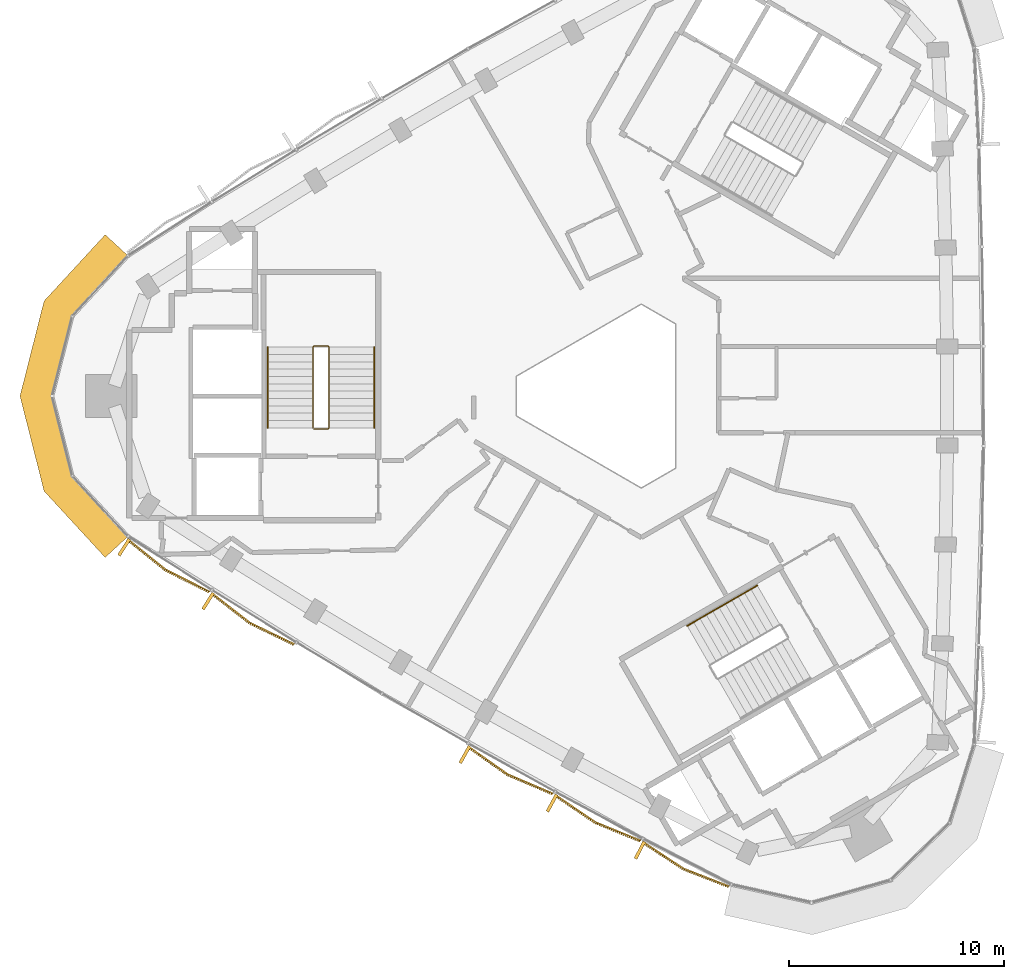
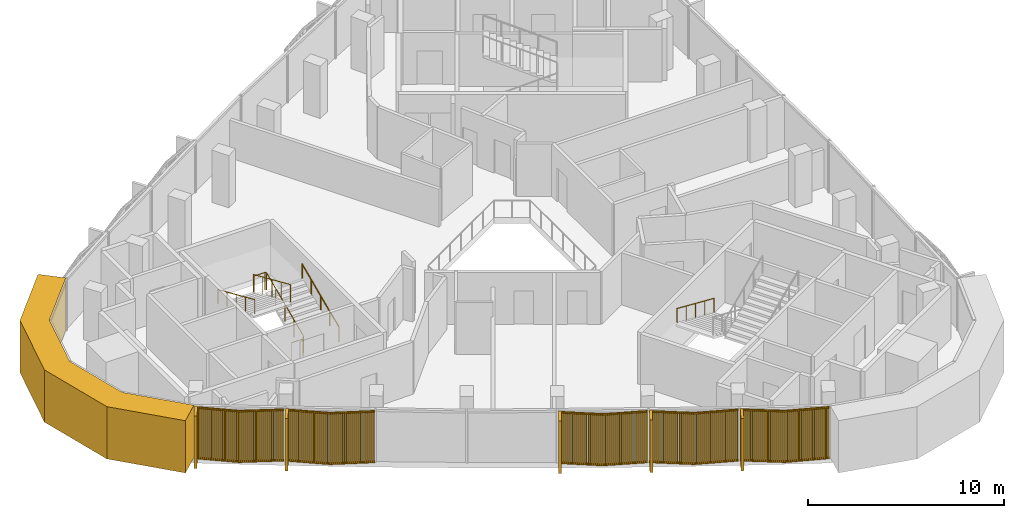
# One storey, part 10 of 12: 6 coverings, 4 railings.
"""IFC4 building model written with IfcOpenShell, lengths in metres."""

import ifcopenshell
import ifcopenshell.guid

model = None  # the IFC model being written
_history = None  # IfcOwnerHistory: only IFC2X3 demands one
_inside = {}  # id of a spatial element -> (the spatial element, [elements in it])
_under = {}  # id of a project, library or spatial element -> (it, [spatial elements below it])
_declared = {}  # id of a project -> (the project, [libraries it declares])
_typed = {}  # id of a type object -> (the type object, [elements of that type])
_made_of = {}  # id of a material, layer set ... -> (it, [elements and type objects made of it])


def new_model(schema):
    """Start an empty IFC model of exactly this schema.

    Asked for "IFC4X3", IfcOpenShell would pick the latest addendum, in which some entities
    have other attributes; the version numbers below select the first issue.
    IFC2X3 requires an IfcOwnerHistory on every rooted entity: one is made here for all.
    """
    global model, _history
    if schema == "IFC4X3":
        model = ifcopenshell.file(schema_version=(4, 3, 0, 0))
    else:
        model = ifcopenshell.file(schema=schema)
    _inside.clear()
    _under.clear()
    _declared.clear()
    _typed.clear()
    _made_of.clear()
    _history = None
    if model.schema == "IFC2X3":
        org = make("IfcOrganization", Name="unknown")
        user = make(
            "IfcPersonAndOrganization",
            ThePerson=make("IfcPerson", FamilyName="unknown"),
            TheOrganization=org,
        )
        app = make(
            "IfcApplication",
            ApplicationDeveloper=org,
            Version="unknown",
            ApplicationFullName="unknown",
            ApplicationIdentifier="unknown",
        )
        _history = make(
            "IfcOwnerHistory",
            OwningUser=user,
            OwningApplication=app,
            ChangeAction="ADDED",
            CreationDate=0,
        )
    return model


def make(cls, **values):
    """One entity of the class cls with the attributes given. An attribute that is None is left unset."""
    return model.create_entity(
        cls, **{name: value for name, value in values.items() if value is not None}
    )


def rooted(cls, **values):
    """An entity with a GlobalId (a new one), such as an element, a storey or a relation."""
    return make(cls, GlobalId=ifcopenshell.guid.new(), OwnerHistory=_history, **values)


def si_unit(unit_type, name, prefix=None):
    """IfcSIUnit, for example si_unit("LENGTHUNIT", "METRE", prefix="MILLI")."""
    return make("IfcSIUnit", UnitType=unit_type, Prefix=prefix, Name=name)


def assignment(units):
    """IfcUnitAssignment: the units of a project."""
    return None if units is None else make("IfcUnitAssignment", Units=units)


def point(xyz):
    """IfcCartesianPoint."""
    return None if xyz is None else make("IfcCartesianPoint", Coordinates=xyz)


def direction(xyz):
    """IfcDirection."""
    return None if xyz is None else make("IfcDirection", DirectionRatios=xyz)


def frame(location, z_axis=None, x_axis=None):
    """IfcAxis2Placement3D, a coordinate frame: its origin and axes. An axis left out is left unset."""
    return make(
        "IfcAxis2Placement3D",
        Location=point(location),
        Axis=direction(z_axis),
        RefDirection=direction(x_axis),
    )


def frame_2d(location, x_axis=None):
    """IfcAxis2Placement2D, a coordinate frame in the plane: its origin and x axis."""
    return make(
        "IfcAxis2Placement2D", Location=point(location), RefDirection=direction(x_axis)
    )


def origin():
    """The frame at (0, 0, 0) with its axes left unset."""
    return frame((0.0, 0.0, 0.0))


def origin_2d():
    """The frame at (0, 0) in the plane with its x axis left unset."""
    return frame_2d((0.0, 0.0))


def place(relative_to, where):
    """IfcLocalPlacement: puts the frame where relative to a parent placement (None: the world)."""
    return make(
        "IfcLocalPlacement", PlacementRelTo=relative_to, RelativePlacement=where
    )


def context(
    kind, dimensions, precision=None, world=None, true_north=None, identifier=None
):
    """IfcGeometricRepresentationContext, for example the 3D "Model" context."""
    return make(
        "IfcGeometricRepresentationContext",
        ContextIdentifier=identifier,
        ContextType=kind,
        CoordinateSpaceDimension=dimensions,
        Precision=precision,
        WorldCoordinateSystem=world,
        TrueNorth=true_north,
    )


def subcontext(parent, identifier, kind, view, scale=None):
    """IfcGeometricRepresentationSubContext, for example "Body" below "Model"."""
    return make(
        "IfcGeometricRepresentationSubContext",
        ContextIdentifier=identifier,
        ContextType=kind,
        ParentContext=parent,
        TargetScale=scale,
        TargetView=view,
    )


def project(units=None, contexts=None):
    """IfcProject with its units and contexts."""
    return rooted(
        "IfcProject",
        Name="project",
        RepresentationContexts=contexts,
        UnitsInContext=assignment(units),
    )


def spatial(cls, under=None, at=None, **own):
    """A site, building, storey or space (cls), placed at a placement, below another one or the project."""
    s = rooted(cls, ObjectPlacement=at, **own)
    if under is not None:
        _under.setdefault(under.id(), (under, []))[1].append(s)
    return s


def polyline(points):
    """IfcPolyline through the points."""
    return make("IfcPolyline", Points=[point(p) for p in points])


def profile(cls, at=None, kind="AREA", **sizes):
    """A parametric profile (cls). Its sizes go by their IFC names, for example OverallWidth=200.0."""
    return make(cls, ProfileType=kind, Position=at, **sizes)


def rectangle(**sizes):
    """IfcRectangleProfileDef."""
    return profile("IfcRectangleProfileDef", **sizes)


def circle(**sizes):
    """IfcCircleProfileDef."""
    return profile("IfcCircleProfileDef", **sizes)


def outline(outer, holes=None, kind="AREA"):
    """IfcArbitraryClosedProfileDef: a profile drawn as a closed curve; with holes, ...WithVoids."""
    if holes is None:
        return make("IfcArbitraryClosedProfileDef", ProfileType=kind, OuterCurve=outer)
    return make(
        "IfcArbitraryProfileDefWithVoids",
        ProfileType=kind,
        OuterCurve=outer,
        InnerCurves=holes,
    )


def extrude(swept, where, along, depth):
    """IfcExtrudedAreaSolid: the profile swept, set in the frame where, extruded along a direction by depth."""
    return make(
        "IfcExtrudedAreaSolid",
        SweptArea=swept,
        Position=where,
        ExtrudedDirection=direction(along),
        Depth=depth,
    )


def shape(context_of_items, identifier, shape_type, items):
    """IfcShapeRepresentation: the items that make up one representation, for example the "Body"."""
    return make(
        "IfcShapeRepresentation",
        ContextOfItems=context_of_items,
        RepresentationIdentifier=identifier,
        RepresentationType=shape_type,
        Items=items,
    )


def source(mapping_origin, context_of_items, identifier, shape_type, items):
    """IfcRepresentationMap: a shape defined once, which mapped items show again and again."""
    return make(
        "IfcRepresentationMap",
        MappingOrigin=mapping_origin,
        MappedRepresentation=shape(context_of_items, identifier, shape_type, items),
    )


def transform(
    local_origin,
    x_axis=None,
    y_axis=None,
    z_axis=None,
    scale=None,
    scale2=None,
    scale3=None,
    uniform=True,
):
    """IfcCartesianTransformationOperator3D, or its non-uniform kind. x_axis, y_axis, z_axis: its Axis1, 2, 3."""
    if uniform:
        return make(
            "IfcCartesianTransformationOperator3D",
            Axis1=direction(x_axis),
            Axis2=direction(y_axis),
            LocalOrigin=point(local_origin),
            Scale=scale,
            Axis3=direction(z_axis),
        )
    return make(
        "IfcCartesianTransformationOperator3DnonUniform",
        Axis1=direction(x_axis),
        Axis2=direction(y_axis),
        LocalOrigin=point(local_origin),
        Scale=scale,
        Axis3=direction(z_axis),
        Scale2=scale2,
        Scale3=scale3,
    )


def mapped(mapping_source, mapping_target):
    """IfcMappedItem: shows the shape of a source again, moved by a transform."""
    return make(
        "IfcMappedItem", MappingSource=mapping_source, MappingTarget=mapping_target
    )


def material(Name=None, Category=None):
    """IfcMaterial."""
    return make("IfcMaterial", Name=Name, Category=Category)


def layer(
    of_material, thickness, ventilated=None, Name=None, Category=None, Priority=None
):
    """IfcMaterialLayer: one layer of a wall or slab, of a material (None: an air gap)."""
    return make(
        "IfcMaterialLayer",
        Material=of_material,
        LayerThickness=thickness,
        IsVentilated=ventilated,
        Name=Name,
        Category=Category,
        Priority=Priority,
    )


def layer_set(layers, Name=None):
    """IfcMaterialLayerSet."""
    return make("IfcMaterialLayerSet", MaterialLayers=layers, LayerSetName=Name)


def made_of(thing, what):
    """Note that an element or type object is made of a material, layer set ...; save() writes the relation."""
    if what is not None:
        _made_of.setdefault(what.id(), (what, []))[1].append(thing)
    return thing


def type_object(cls, material=None, **own):
    """A type object (cls), such as IfcWallType, which elements share."""
    return made_of(rooted(cls, **own), material)


def element(
    cls,
    number,
    at=None,
    inside=None,
    cuts=None,
    type_object=None,
    material=None,
    context=None,
    identifier="Body",
    shape_type=None,
    held_by="IfcProductDefinitionShape",
    body=None,
    shapes=None,
    **own,
):
    """One element of the class cls, such as IfcWall. Its Tag is "e" and its number.

    at: its placement. inside: the storey or other place that contains it. cuts: it is an
    opening in that element (IfcRelVoidsElement). A single representation is given by context,
    identifier, shape_type and body (its items); several are given by shapes. held_by: the class
    of the entity that holds the representations. save() writes the other relations.
    """
    e = rooted(cls, Tag="e%d" % number, ObjectPlacement=at, **own)
    if body is not None:
        shapes = [shape(context, identifier, shape_type, body)]
    if shapes is not None:
        e.Representation = make(held_by, Representations=shapes)
    if inside is not None:
        _inside.setdefault(inside.id(), (inside, []))[1].append(e)
    if cuts is not None:
        rooted(
            "IfcRelVoidsElement", RelatingBuildingElement=cuts, RelatedOpeningElement=e
        )
    if type_object is not None:
        _typed.setdefault(type_object.id(), (type_object, []))[1].append(e)
    return made_of(e, material)


def aggregate(whole, parts):
    """IfcRelAggregates: a whole, such as a stair, and the parts it consists of."""
    return rooted("IfcRelAggregates", RelatingObject=whole, RelatedObjects=parts)


def save(model, path):
    """Write the relations noted so far, then the file.

    IfcRelAggregates (storeys below a building ...), IfcRelContainedInSpatialStructure (elements
    in a storey), IfcRelDefinesByType, IfcRelAssociatesMaterial and IfcRelDeclares: one each for
    every whole, place, type object, material and project.
    """
    for whole, parts in _under.values():
        aggregate(whole, parts)
    for where, things in _inside.values():
        rooted(
            "IfcRelContainedInSpatialStructure",
            RelatedElements=things,
            RelatingStructure=where,
        )
    for kind, things in _typed.values():
        rooted("IfcRelDefinesByType", RelatedObjects=things, RelatingType=kind)
    for what, things in _made_of.values():
        rooted("IfcRelAssociatesMaterial", RelatedObjects=things, RelatingMaterial=what)
    for by, libraries in _declared.values():
        rooted("IfcRelDeclares", RelatingContext=by, RelatedDefinitions=libraries)
    model.write(path)


model = new_model("IFC4")

# Units and contexts
model_context = context("Model", 3, precision=1e-05, world=origin(), true_north=direction((0.0, 1.0)))
body_context = subcontext(model_context, "Body", "Model", "MODEL_VIEW")
ifc_project = project(units=[si_unit("LENGTHUNIT", "METRE"), si_unit("AREAUNIT", "SQUARE_METRE"), si_unit("VOLUMEUNIT", "CUBIC_METRE"), si_unit("PLANEANGLEUNIT", "RADIAN"), si_unit("MASSUNIT", "GRAM", prefix="KILO")], contexts=[model_context])

# Site, building, storey
site_placement = place(None, origin())
site = spatial("IfcSite", under=ifc_project, at=site_placement, CompositionType="ELEMENT")
building_placement = place(site_placement, origin())
building = spatial("IfcBuilding", under=site, at=building_placement, Name="Tamra Quay Hotel Tower", CompositionType="ELEMENT")
storey_placement = place(building_placement, frame((0.0, 0.0, 269.39990234375)))
storey = spatial("IfcBuildingStorey", under=building, at=storey_placement, Name="L68", CompositionType="ELEMENT", Elevation=269.39990234375)

# Covering
ifc_material_1 = material(Name="Precast concrete M60 terracotta-coloured", Category="masonry")
ifc_layer = layer(ifc_material_1, 1.449951171875)
ifc_layer_set = layer_set([ifc_layer], Name="CORNER PIER PANEL")
covering_type_1 = type_object("IfcCoveringType", Name="CORNER PIER PANEL", PredefinedType="CLADDING", material=ifc_layer_set)
covering_placement = place(storey_placement, origin())
element("IfcCovering", 1, at=covering_placement, inside=storey, type_object=covering_type_1, Name="Corner pier L68.north-west", PredefinedType="CLADDING", context=body_context, shape_type="SweptSolid", body=[
    extrude(outline(polyline([(-22.488525390625, 6.530517578125), (-23.55517578125, 7.5126953125), (-26.3984375, 4.425048828125), (-27.519287109375, 0.0), (-26.3984375, -4.425048828125), (-23.55517578125, -7.5126953125), (-22.488525390625, -6.530517578125), (-25.0830078125, -3.712890625), (-26.0234375, 0.0), (-25.0830078125, 3.712890625), (-22.488525390625, 6.530517578125)])), origin(), (0.0, 0.0, 1.0), 3.25),
])

# Railings
ifc_material_2 = material(Name="Stair guard 1100")
railing_type_1 = type_object("IfcRailingType", Name="Stair guard 1100", PredefinedType="GUARDRAIL", material=ifc_material_2)
railing_1_placement = place(storey_placement, frame((-13.84130859375, -1.530029296875, 0.0)))
element("IfcRailing", 2, at=railing_1_placement, inside=storey, type_object=railing_type_1, Name="GR", PredefinedType="GUARDRAIL", context=body_context, shape_type="SweptSolid", body=[
    extrude(circle(Radius=0.02392578125, at=origin_2d()), frame((0.0, 0.0, 1.076171875), z_axis=(1.0, 0.0, 0.0), x_axis=(0.0, 1.0, 0.0)), (0.0, 0.0, 1.0), 0.658935546875),
    extrude(circle(Radius=0.02392578125, at=origin_2d()), frame((0.658935546875, 0.0, 1.076171875), z_axis=(0.301511344578, 0.301511344578, 0.904534033733), x_axis=(-0.707106781187, 0.707106781187, 0.0)), (0.0, 0.0, 1.0), 0.166015625),
    extrude(circle(Radius=0.02392578125, at=origin_2d()), frame((0.708984375, 0.050048828125, 1.22607421875), z_axis=(0.0, 0.915795495799, 0.401644880304), x_axis=(-1.0, 0.0, 0.0)), (0.0, 0.0, 1.0), 4.10791015625),
    extrude(circle(Radius=0.02392578125, at=origin_2d()), frame((0.708984375, 3.81201171875, 2.8759765625), z_axis=(-0.708833529934, 0.705375805398, 0.0), x_axis=(-0.705375805398, -0.708833529934, 0.0)), (0.0, 0.0, 1.0), 0.070556640625),
    extrude(circle(Radius=0.02392578125, at=origin_2d()), frame((0.658935546875, 3.86181640625, 2.8759765625), z_axis=(-1.0, 0.0, 0.0), x_axis=(0.0, -1.0, 0.0)), (0.0, 0.0, 1.0), 0.658935546875),
    extrude(circle(Radius=0.02392578125, at=origin_2d()), frame((0.0, 3.86181640625, 2.8759765625), z_axis=(-0.301644814947, -0.300173376825, 0.904934444842), x_axis=(0.705375805398, -0.708833529934, 0.0)), (0.0, 0.0, 1.0), 0.166015625),
    extrude(circle(Radius=0.02392578125, at=origin_2d()), frame((-0.050048828125, 3.81201171875, 3.0263671875), z_axis=(0.0, -0.915795495799, 0.401644880304), x_axis=(1.0, 0.0, 0.0)), (0.0, 0.0, 1.0), 4.10791015625),
    extrude(circle(Radius=0.02099609375, at=origin_2d()), origin(), (0.0, 0.0, 1.0), 1.052001953125),
    extrude(circle(Radius=0.02099609375, at=origin_2d()), frame((0.658935546875, 0.0, 0.0)), (0.0, 0.0, 1.0), 1.052001953125),
    extrude(circle(Radius=0.02099609375, at=origin_2d()), frame((0.708984375, 0.050048828125, 0.150146484375)), (0.0, 0.0, 1.0), 1.052001953125),
    extrude(circle(Radius=0.02099609375, at=origin_2d()), frame((0.708984375, 0.990478515625, 0.5625)), (0.0, 0.0, 1.0), 1.052001953125),
    extrude(circle(Radius=0.02099609375, at=origin_2d()), frame((0.708984375, 1.93115234375, 0.97509765625)), (0.0, 0.0, 1.0), 1.052001953125),
    extrude(circle(Radius=0.02099609375, at=origin_2d()), frame((0.708984375, 2.87158203125, 1.3876953125)), (0.0, 0.0, 1.0), 1.052001953125),
    extrude(circle(Radius=0.02099609375, at=origin_2d()), frame((0.708984375, 3.81201171875, 1.800048828125)), (0.0, 0.0, 1.0), 1.052001953125),
    extrude(circle(Radius=0.02099609375, at=origin_2d()), frame((0.658935546875, 3.86181640625, 1.800048828125)), (0.0, 0.0, 1.0), 1.052001953125),
    extrude(circle(Radius=0.02099609375, at=origin_2d()), frame((0.0, 3.86181640625, 1.800048828125)), (0.0, 0.0, 1.0), 1.052001953125),
    extrude(circle(Radius=0.02099609375, at=origin_2d()), frame((-0.050048828125, 3.81201171875, 1.9501953125)), (0.0, 0.0, 1.0), 1.052001953125),
    extrude(circle(Radius=0.02099609375, at=origin_2d()), frame((-0.050048828125, 2.87158203125, 2.36279296875)), (0.0, 0.0, 1.0), 1.052001953125),
    extrude(circle(Radius=0.02099609375, at=origin_2d()), frame((-0.050048828125, 1.93115234375, 2.775146484375)), (0.0, 0.0, 1.0), 1.052001953125),
    extrude(circle(Radius=0.02099609375, at=origin_2d()), frame((-0.050048828125, 0.990478515625, 3.1875)), (0.0, 0.0, 1.0), 1.052001953125),
    extrude(circle(Radius=0.02099609375, at=origin_2d()), frame((-0.050048828125, 0.050048828125, 3.60009765625)), (0.0, 0.0, 1.0), 1.052001953125),
])
ifc_material_3 = material(Name="Stair handrail 900")
railing_type_2 = type_object("IfcRailingType", Name="Stair handrail 900", PredefinedType="HANDRAIL", material=ifc_material_3)
railing_2_placement = place(storey_placement, frame((-11.0322265625, -1.47998046875, 0.150146484375)))
element("IfcRailing", 3, at=railing_2_placement, inside=storey, type_object=railing_type_2, Name="HR", PredefinedType="HANDRAIL", context=body_context, shape_type="SweptSolid", body=[
    extrude(circle(Radius=0.02392578125, at=origin_2d()), frame((0.0, 0.0, 0.8759765625), z_axis=(0.0, 0.915795495799, 0.401644880304), x_axis=(-1.0, 0.0, 0.0)), (0.0, 0.0, 1.0), 4.10791015625),
    extrude(circle(Radius=0.02099609375, at=origin_2d()), origin(), (0.0, 0.0, 1.0), 0.851806640625),
    extrude(circle(Radius=0.02099609375, at=origin_2d()), frame((0.0, 0.9404296875, 0.41259765625)), (0.0, 0.0, 1.0), 0.851806640625),
    extrude(circle(Radius=0.02099609375, at=origin_2d()), frame((0.0, 1.880859375, 0.824951171875)), (0.0, 0.0, 1.0), 0.851806640625),
    extrude(circle(Radius=0.02099609375, at=origin_2d()), frame((0.0, 2.821533203125, 1.2373046875)), (0.0, 0.0, 1.0), 0.851806640625),
    extrude(circle(Radius=0.02099609375, at=origin_2d()), frame((0.0, 3.761962890625, 1.64990234375)), (0.0, 0.0, 1.0), 0.851806640625),
])
railing_3_placement = place(storey_placement, frame((-15.9912109375, 2.281982421875, 1.9501953125)))
element("IfcRailing", 4, at=railing_3_placement, inside=storey, type_object=railing_type_2, Name="HR", PredefinedType="HANDRAIL", context=body_context, shape_type="SweptSolid", body=[
    extrude(circle(Radius=0.02392578125, at=origin_2d()), frame((0.0, 0.0, 0.8759765625), z_axis=(0.0, -0.915795495799, 0.401644880304), x_axis=(1.0, 0.0, 0.0)), (0.0, 0.0, 1.0), 4.10791015625),
    extrude(circle(Radius=0.02099609375, at=origin_2d()), origin(), (0.0, 0.0, 1.0), 0.851806640625),
    extrude(circle(Radius=0.02099609375, at=origin_2d()), frame((0.0, -0.9404296875, 0.41259765625)), (0.0, 0.0, 1.0), 0.851806640625),
    extrude(circle(Radius=0.02099609375, at=origin_2d()), frame((0.0, -1.880859375, 0.824951171875)), (0.0, 0.0, 1.0), 0.851806640625),
    extrude(circle(Radius=0.02099609375, at=origin_2d()), frame((0.0, -2.821533203125, 1.2373046875)), (0.0, 0.0, 1.0), 0.851806640625),
    extrude(circle(Radius=0.02099609375, at=origin_2d()), frame((0.0, -3.761962890625, 1.64990234375)), (0.0, 0.0, 1.0), 0.851806640625),
])
railing_4_placement = place(storey_placement, frame((6.7978515625, -8.814208984375, 0.150146484375)))
element("IfcRailing", 5, at=railing_4_placement, inside=storey, type_object=railing_type_2, Name="HR", PredefinedType="HANDRAIL", context=body_context, shape_type="SweptSolid", body=[
    extrude(circle(Radius=0.02392578125, at=origin_2d()), frame((0.0, 0.0, 0.8759765625), z_axis=(-0.79310004713, -0.457886897714, 0.401661429744), x_axis=(0.499992114976, -0.866029956157, 0.0)), (0.0, 0.0, 1.0), 4.107666015625),
    extrude(circle(Radius=0.02099609375, at=origin_2d()), origin(), (0.0, 0.0, 1.0), 0.851806640625),
    extrude(circle(Radius=0.02099609375, at=origin_2d()), frame((-0.814453125, -0.47021484375, 0.41259765625)), (0.0, 0.0, 1.0), 0.851806640625),
    extrude(circle(Radius=0.02099609375, at=origin_2d()), frame((-1.62890625, -0.9404296875, 0.824951171875)), (0.0, 0.0, 1.0), 0.851806640625),
    extrude(circle(Radius=0.02099609375, at=origin_2d()), frame((-2.443359375, -1.41064453125, 1.2373046875)), (0.0, 0.0, 1.0), 0.851806640625),
    extrude(circle(Radius=0.02099609375, at=origin_2d()), frame((-3.2578125, -1.880859375, 1.64990234375)), (0.0, 0.0, 1.0), 0.851806640625),
])

# Coverings
ifc_material_4 = material(Name="Terracotta baguette extruded", Category="masonry")
covering_type_2 = type_object("IfcCoveringType", Name="BAGUETTE SCREEN SW-V H3250", PredefinedType="USERDEFINED", material=ifc_material_4)
shared_shape = source(origin(), body_context, "Body", "SweptSolid", [
    extrude(rectangle(XDim=2.284912109375, YDim=0.06005859375, at=frame_2d((1.142578125, 0.030029296875))), frame((-2.27880859375, -0.0576171875, -0.1201171875), z_axis=(0.0, 0.0, 1.0), x_axis=(0.994521895368, -0.104528463268, 0.0)), (0.0, 0.0, 1.0), 0.1201171875),
    extrude(rectangle(XDim=2.284912109375, YDim=0.06005859375, at=frame_2d((1.142578125, 0.030029296875))), frame((-2.27880859375, -0.0576171875, -3.25), z_axis=(0.0, 0.0, 1.0), x_axis=(0.994521895368, -0.104528463268, 0.0)), (0.0, 0.0, 1.0), 0.1201171875),
    extrude(rectangle(XDim=0.070068359375, YDim=0.10009765625, at=frame_2d((0.03515625, 0.050048828125))), frame((-2.258056640625, -0.13330078125, -3.18994140625)), (0.0, 0.0, 1.0), 3.1298828125),
    extrude(rectangle(XDim=0.070068359375, YDim=0.10009765625, at=frame_2d((0.03515625, 0.050048828125))), frame((-2.1591796875, -0.1435546875, -3.18994140625)), (0.0, 0.0, 1.0), 3.1298828125),
    extrude(rectangle(XDim=0.070068359375, YDim=0.10009765625, at=frame_2d((0.03515625, 0.050048828125))), frame((-2.060546875, -0.154052734375, -3.18994140625)), (0.0, 0.0, 1.0), 3.1298828125),
    extrude(rectangle(XDim=0.070068359375, YDim=0.10009765625, at=frame_2d((0.03515625, 0.050048828125))), frame((-1.961669921875, -0.164306640625, -3.18994140625)), (0.0, 0.0, 1.0), 3.1298828125),
    extrude(rectangle(XDim=0.070068359375, YDim=0.10009765625, at=frame_2d((0.03515625, 0.050048828125))), frame((-1.86279296875, -0.1748046875, -3.18994140625)), (0.0, 0.0, 1.0), 3.1298828125),
    extrude(rectangle(XDim=0.070068359375, YDim=0.10009765625, at=frame_2d((0.03515625, 0.050048828125))), frame((-1.76416015625, -0.18505859375, -3.18994140625)), (0.0, 0.0, 1.0), 3.1298828125),
    extrude(rectangle(XDim=0.070068359375, YDim=0.10009765625, at=frame_2d((0.03515625, 0.050048828125))), frame((-1.665283203125, -0.195556640625, -3.18994140625)), (0.0, 0.0, 1.0), 3.1298828125),
    extrude(rectangle(XDim=0.070068359375, YDim=0.10009765625, at=frame_2d((0.03515625, 0.050048828125))), frame((-1.56640625, -0.205810546875, -3.18994140625)), (0.0, 0.0, 1.0), 3.1298828125),
    extrude(rectangle(XDim=0.070068359375, YDim=0.10009765625, at=frame_2d((0.03515625, 0.050048828125))), frame((-1.4677734375, -0.21630859375, -3.18994140625)), (0.0, 0.0, 1.0), 3.1298828125),
    extrude(rectangle(XDim=0.070068359375, YDim=0.10009765625, at=frame_2d((0.03515625, 0.050048828125))), frame((-1.368896484375, -0.2265625, -3.18994140625)), (0.0, 0.0, 1.0), 3.1298828125),
    extrude(rectangle(XDim=0.070068359375, YDim=0.10009765625, at=frame_2d((0.03515625, 0.050048828125))), frame((-1.27001953125, -0.237060546875, -3.18994140625)), (0.0, 0.0, 1.0), 3.1298828125),
    extrude(rectangle(XDim=0.070068359375, YDim=0.10009765625, at=frame_2d((0.03515625, 0.050048828125))), frame((-1.171142578125, -0.247314453125, -3.18994140625)), (0.0, 0.0, 1.0), 3.1298828125),
    extrude(rectangle(XDim=0.070068359375, YDim=0.10009765625, at=frame_2d((0.03515625, 0.050048828125))), frame((-1.072509765625, -0.2578125, -3.18994140625)), (0.0, 0.0, 1.0), 3.1298828125),
    extrude(rectangle(XDim=0.070068359375, YDim=0.10009765625, at=frame_2d((0.03515625, 0.050048828125))), frame((-0.9736328125, -0.268310546875, -3.18994140625)), (0.0, 0.0, 1.0), 3.1298828125),
    extrude(rectangle(XDim=0.070068359375, YDim=0.10009765625, at=frame_2d((0.03515625, 0.050048828125))), frame((-0.874755859375, -0.278564453125, -3.18994140625)), (0.0, 0.0, 1.0), 3.1298828125),
    extrude(rectangle(XDim=0.070068359375, YDim=0.10009765625, at=frame_2d((0.03515625, 0.050048828125))), frame((-0.776123046875, -0.2890625, -3.18994140625)), (0.0, 0.0, 1.0), 3.1298828125),
    extrude(rectangle(XDim=0.070068359375, YDim=0.10009765625, at=frame_2d((0.03515625, 0.050048828125))), frame((-0.67724609375, -0.29931640625, -3.18994140625)), (0.0, 0.0, 1.0), 3.1298828125),
    extrude(rectangle(XDim=0.070068359375, YDim=0.10009765625, at=frame_2d((0.03515625, 0.050048828125))), frame((-0.578369140625, -0.309814453125, -3.18994140625)), (0.0, 0.0, 1.0), 3.1298828125),
    extrude(rectangle(XDim=0.070068359375, YDim=0.10009765625, at=frame_2d((0.03515625, 0.050048828125))), frame((-0.479736328125, -0.320068359375, -3.18994140625)), (0.0, 0.0, 1.0), 3.1298828125),
    extrude(rectangle(XDim=0.070068359375, YDim=0.10009765625, at=frame_2d((0.03515625, 0.050048828125))), frame((-0.380859375, -0.33056640625, -3.18994140625)), (0.0, 0.0, 1.0), 3.1298828125),
    extrude(rectangle(XDim=0.070068359375, YDim=0.10009765625, at=frame_2d((0.03515625, 0.050048828125))), frame((-0.281982421875, -0.3408203125, -3.18994140625)), (0.0, 0.0, 1.0), 3.1298828125),
    extrude(rectangle(XDim=0.070068359375, YDim=0.10009765625, at=frame_2d((0.03515625, 0.050048828125))), frame((-0.18310546875, -0.351318359375, -3.18994140625)), (0.0, 0.0, 1.0), 3.1298828125),
    extrude(rectangle(XDim=0.070068359375, YDim=0.10009765625, at=frame_2d((0.03515625, 0.050048828125))), frame((-0.08447265625, -0.361572265625, -3.18994140625)), (0.0, 0.0, 1.0), 3.1298828125),
    extrude(rectangle(XDim=2.284912109375, YDim=0.06005859375, at=frame_2d((1.142578125, 0.030029296875))), frame((0.00634765625, -0.296630859375, -0.1201171875), z_axis=(0.0, 0.0, 1.0), x_axis=(0.994521895368, 0.104528463268, 0.0)), (0.0, 0.0, 1.0), 0.1201171875),
    extrude(rectangle(XDim=2.284912109375, YDim=0.06005859375, at=frame_2d((1.142578125, 0.030029296875))), frame((0.00634765625, -0.296630859375, -3.25), z_axis=(0.0, 0.0, 1.0), x_axis=(0.994521895368, 0.104528463268, 0.0)), (0.0, 0.0, 1.0), 0.1201171875),
    extrude(rectangle(XDim=0.070068359375, YDim=0.10009765625, at=frame_2d((0.03515625, 0.050048828125))), frame((0.014404296875, -0.361572265625, -3.18994140625)), (0.0, 0.0, 1.0), 3.1298828125),
    extrude(rectangle(XDim=0.070068359375, YDim=0.10009765625, at=frame_2d((0.03515625, 0.050048828125))), frame((0.11328125, -0.351318359375, -3.18994140625)), (0.0, 0.0, 1.0), 3.1298828125),
    extrude(rectangle(XDim=0.070068359375, YDim=0.10009765625, at=frame_2d((0.03515625, 0.050048828125))), frame((0.2119140625, -0.3408203125, -3.18994140625)), (0.0, 0.0, 1.0), 3.1298828125),
    extrude(rectangle(XDim=0.070068359375, YDim=0.10009765625, at=frame_2d((0.03515625, 0.050048828125))), frame((0.310791015625, -0.33056640625, -3.18994140625)), (0.0, 0.0, 1.0), 3.1298828125),
    extrude(rectangle(XDim=0.070068359375, YDim=0.10009765625, at=frame_2d((0.03515625, 0.050048828125))), frame((0.40966796875, -0.320068359375, -3.18994140625)), (0.0, 0.0, 1.0), 3.1298828125),
    extrude(rectangle(XDim=0.070068359375, YDim=0.10009765625, at=frame_2d((0.03515625, 0.050048828125))), frame((0.50830078125, -0.309814453125, -3.18994140625)), (0.0, 0.0, 1.0), 3.1298828125),
    extrude(rectangle(XDim=0.070068359375, YDim=0.10009765625, at=frame_2d((0.03515625, 0.050048828125))), frame((0.607177734375, -0.29931640625, -3.18994140625)), (0.0, 0.0, 1.0), 3.1298828125),
    extrude(rectangle(XDim=0.070068359375, YDim=0.10009765625, at=frame_2d((0.03515625, 0.050048828125))), frame((0.7060546875, -0.2890625, -3.18994140625)), (0.0, 0.0, 1.0), 3.1298828125),
    extrude(rectangle(XDim=0.070068359375, YDim=0.10009765625, at=frame_2d((0.03515625, 0.050048828125))), frame((0.804931640625, -0.278564453125, -3.18994140625)), (0.0, 0.0, 1.0), 3.1298828125),
    extrude(rectangle(XDim=0.070068359375, YDim=0.10009765625, at=frame_2d((0.03515625, 0.050048828125))), frame((0.903564453125, -0.268310546875, -3.18994140625)), (0.0, 0.0, 1.0), 3.1298828125),
    extrude(rectangle(XDim=0.070068359375, YDim=0.10009765625, at=frame_2d((0.03515625, 0.050048828125))), frame((1.00244140625, -0.2578125, -3.18994140625)), (0.0, 0.0, 1.0), 3.1298828125),
    extrude(rectangle(XDim=0.070068359375, YDim=0.10009765625, at=frame_2d((0.03515625, 0.050048828125))), frame((1.101318359375, -0.247314453125, -3.18994140625)), (0.0, 0.0, 1.0), 3.1298828125),
    extrude(rectangle(XDim=0.070068359375, YDim=0.10009765625, at=frame_2d((0.03515625, 0.050048828125))), frame((1.199951171875, -0.237060546875, -3.18994140625)), (0.0, 0.0, 1.0), 3.1298828125),
    extrude(rectangle(XDim=0.070068359375, YDim=0.10009765625, at=frame_2d((0.03515625, 0.050048828125))), frame((1.298828125, -0.2265625, -3.18994140625)), (0.0, 0.0, 1.0), 3.1298828125),
    extrude(rectangle(XDim=0.070068359375, YDim=0.10009765625, at=frame_2d((0.03515625, 0.050048828125))), frame((1.397705078125, -0.21630859375, -3.18994140625)), (0.0, 0.0, 1.0), 3.1298828125),
    extrude(rectangle(XDim=0.070068359375, YDim=0.10009765625, at=frame_2d((0.03515625, 0.050048828125))), frame((1.49658203125, -0.205810546875, -3.18994140625)), (0.0, 0.0, 1.0), 3.1298828125),
    extrude(rectangle(XDim=0.070068359375, YDim=0.10009765625, at=frame_2d((0.03515625, 0.050048828125))), frame((1.59521484375, -0.195556640625, -3.18994140625)), (0.0, 0.0, 1.0), 3.1298828125),
    extrude(rectangle(XDim=0.070068359375, YDim=0.10009765625, at=frame_2d((0.03515625, 0.050048828125))), frame((1.694091796875, -0.18505859375, -3.18994140625)), (0.0, 0.0, 1.0), 3.1298828125),
    extrude(rectangle(XDim=0.070068359375, YDim=0.10009765625, at=frame_2d((0.03515625, 0.050048828125))), frame((1.79296875, -0.1748046875, -3.18994140625)), (0.0, 0.0, 1.0), 3.1298828125),
    extrude(rectangle(XDim=0.070068359375, YDim=0.10009765625, at=frame_2d((0.03515625, 0.050048828125))), frame((1.8916015625, -0.164306640625, -3.18994140625)), (0.0, 0.0, 1.0), 3.1298828125),
    extrude(rectangle(XDim=0.070068359375, YDim=0.10009765625, at=frame_2d((0.03515625, 0.050048828125))), frame((1.990478515625, -0.154052734375, -3.18994140625)), (0.0, 0.0, 1.0), 3.1298828125),
    extrude(rectangle(XDim=0.070068359375, YDim=0.10009765625, at=frame_2d((0.03515625, 0.050048828125))), frame((2.08935546875, -0.1435546875, -3.18994140625)), (0.0, 0.0, 1.0), 3.1298828125),
    extrude(rectangle(XDim=0.070068359375, YDim=0.10009765625, at=frame_2d((0.03515625, 0.050048828125))), frame((2.18798828125, -0.13330078125, -3.18994140625)), (0.0, 0.0, 1.0), 3.1298828125),
    extrude(rectangle(XDim=0.14990234375, YDim=0.902099609375, at=frame_2d((0.074951171875, 0.451171875))), frame((-2.2724609375, -0.89990234375, -3.25)), (0.0, 0.0, 1.0), 3.25),
])
for number, where, z_axis, x_axis, name in (
    (6, (-20.580322265625, -7.84765625, 3.25), (0.0, 0.0, 1.0), (0.841664986899, -0.540000046137, 0.0), "Baguette screen L68.SW.f00"),
    (7, (-16.659912109375, -10.31982421875, 3.25), (0.0, 0.0, 1.0), (0.849981756251, -0.526812124045, 0.0), "Baguette screen L68.SW.f01"),
    (8, (-4.674072265625, -17.365478515625, 3.25), (0.0, 0.0, 1.0), (0.87373577863, -0.486400852324, 0.0), "Baguette screen L68.SW.f04"),
    (9, (-0.607177734375, -19.587890625, 3.25), (0.0, 0.0, 1.0), (0.88122356057, -0.472699731644, 0.0), "Baguette screen L68.SW.f05"),
    (10, (3.493896484375, -21.746826171875, 3.25), (0.0, 0.0, 1.0), (0.888486251449, -0.458903237062, 0.0), "Baguette screen L68.SW.f06"),
):
    element("IfcCovering", number, at=place(storey_placement, frame(where, z_axis=z_axis, x_axis=x_axis)), inside=storey, type_object=covering_type_2, Name=name, ObjectType="BAGUETTE SCREEN", PredefinedType="USERDEFINED", context=body_context, shape_type="MappedRepresentation", body=[
        mapped(shared_shape, transform((0.0, 0.0, 0.0), scale=1.0)),
    ])

save(model, "model.ifc")
